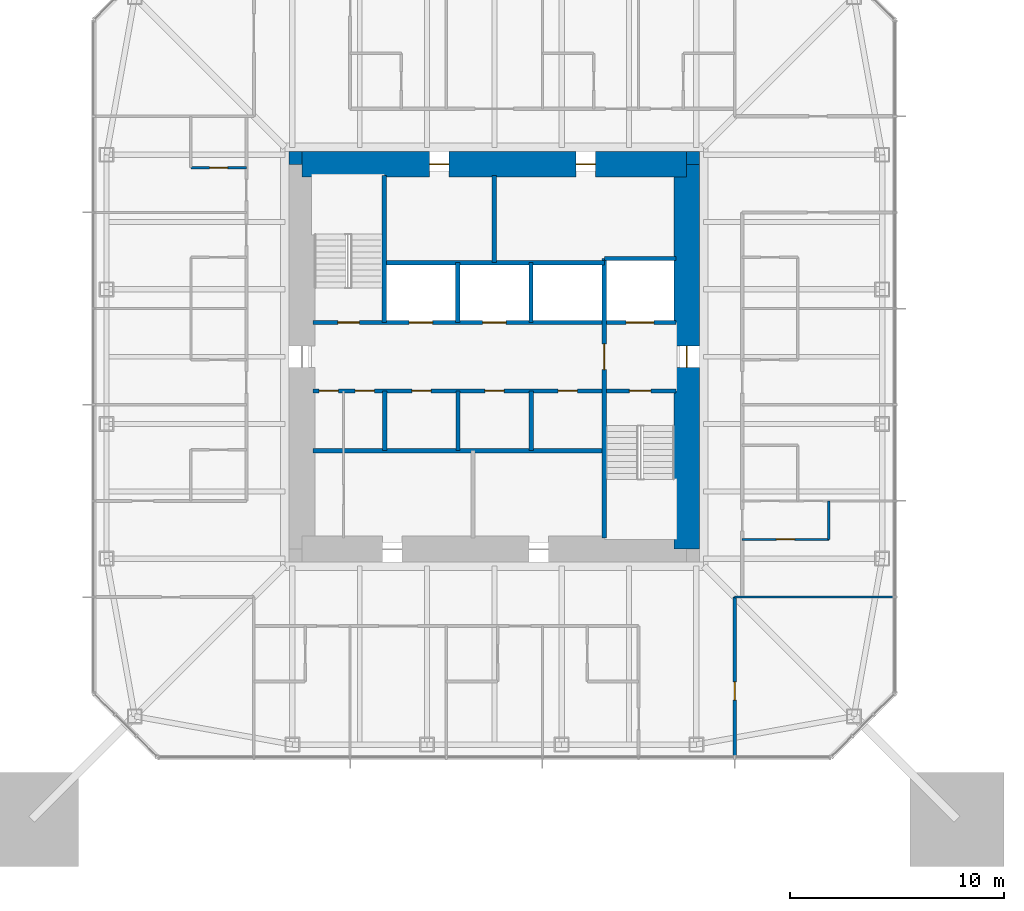
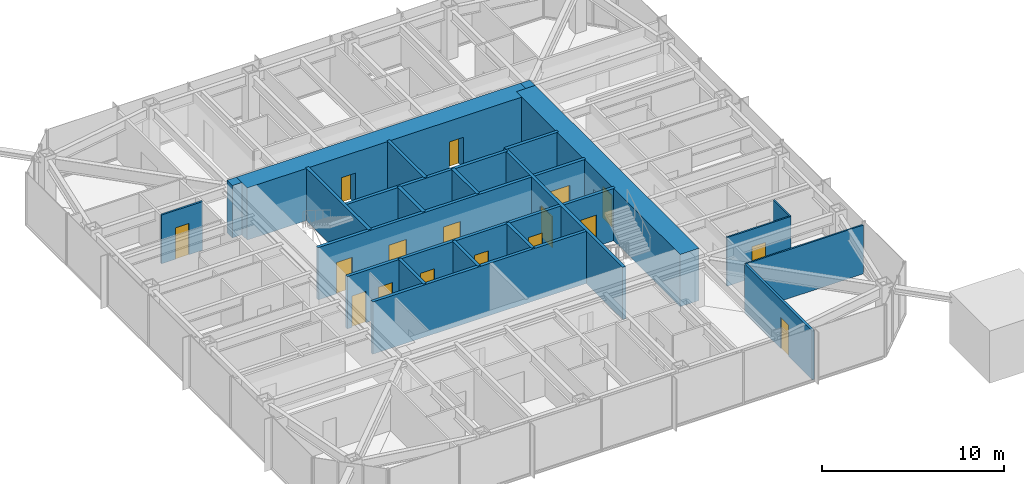
# One storey, part 7 of 12: 22 walls, 17 doors, 17 openings.
"""IFC4 building model written with IfcOpenShell, lengths in metres."""

import ifcopenshell
import ifcopenshell.guid

model = None  # the IFC model being written
_history = None  # IfcOwnerHistory: only IFC2X3 demands one
_inside = {}  # id of a spatial element -> (the spatial element, [elements in it])
_under = {}  # id of a project, library or spatial element -> (it, [spatial elements below it])
_declared = {}  # id of a project -> (the project, [libraries it declares])
_typed = {}  # id of a type object -> (the type object, [elements of that type])
_made_of = {}  # id of a material, layer set ... -> (it, [elements and type objects made of it])


def new_model(schema):
    """Start an empty IFC model of exactly this schema.

    Asked for "IFC4X3", IfcOpenShell would pick the latest addendum, in which some entities
    have other attributes; the version numbers below select the first issue.
    IFC2X3 requires an IfcOwnerHistory on every rooted entity: one is made here for all.
    """
    global model, _history
    if schema == "IFC4X3":
        model = ifcopenshell.file(schema_version=(4, 3, 0, 0))
    else:
        model = ifcopenshell.file(schema=schema)
    _inside.clear()
    _under.clear()
    _declared.clear()
    _typed.clear()
    _made_of.clear()
    _history = None
    if model.schema == "IFC2X3":
        org = make("IfcOrganization", Name="unknown")
        user = make(
            "IfcPersonAndOrganization",
            ThePerson=make("IfcPerson", FamilyName="unknown"),
            TheOrganization=org,
        )
        app = make(
            "IfcApplication",
            ApplicationDeveloper=org,
            Version="unknown",
            ApplicationFullName="unknown",
            ApplicationIdentifier="unknown",
        )
        _history = make(
            "IfcOwnerHistory",
            OwningUser=user,
            OwningApplication=app,
            ChangeAction="ADDED",
            CreationDate=0,
        )
    return model


def make(cls, **values):
    """One entity of the class cls with the attributes given. An attribute that is None is left unset."""
    return model.create_entity(
        cls, **{name: value for name, value in values.items() if value is not None}
    )


def rooted(cls, **values):
    """An entity with a GlobalId (a new one), such as an element, a storey or a relation."""
    return make(cls, GlobalId=ifcopenshell.guid.new(), OwnerHistory=_history, **values)


def si_unit(unit_type, name, prefix=None):
    """IfcSIUnit, for example si_unit("LENGTHUNIT", "METRE", prefix="MILLI")."""
    return make("IfcSIUnit", UnitType=unit_type, Prefix=prefix, Name=name)


def assignment(units):
    """IfcUnitAssignment: the units of a project."""
    return None if units is None else make("IfcUnitAssignment", Units=units)


def point(xyz):
    """IfcCartesianPoint."""
    return None if xyz is None else make("IfcCartesianPoint", Coordinates=xyz)


def direction(xyz):
    """IfcDirection."""
    return None if xyz is None else make("IfcDirection", DirectionRatios=xyz)


def frame(location, z_axis=None, x_axis=None):
    """IfcAxis2Placement3D, a coordinate frame: its origin and axes. An axis left out is left unset."""
    return make(
        "IfcAxis2Placement3D",
        Location=point(location),
        Axis=direction(z_axis),
        RefDirection=direction(x_axis),
    )


def frame_2d(location, x_axis=None):
    """IfcAxis2Placement2D, a coordinate frame in the plane: its origin and x axis."""
    return make(
        "IfcAxis2Placement2D", Location=point(location), RefDirection=direction(x_axis)
    )


def origin():
    """The frame at (0, 0, 0) with its axes left unset."""
    return frame((0.0, 0.0, 0.0))


def place(relative_to, where):
    """IfcLocalPlacement: puts the frame where relative to a parent placement (None: the world)."""
    return make(
        "IfcLocalPlacement", PlacementRelTo=relative_to, RelativePlacement=where
    )


def context(
    kind, dimensions, precision=None, world=None, true_north=None, identifier=None
):
    """IfcGeometricRepresentationContext, for example the 3D "Model" context."""
    return make(
        "IfcGeometricRepresentationContext",
        ContextIdentifier=identifier,
        ContextType=kind,
        CoordinateSpaceDimension=dimensions,
        Precision=precision,
        WorldCoordinateSystem=world,
        TrueNorth=true_north,
    )


def subcontext(parent, identifier, kind, view, scale=None):
    """IfcGeometricRepresentationSubContext, for example "Body" below "Model"."""
    return make(
        "IfcGeometricRepresentationSubContext",
        ContextIdentifier=identifier,
        ContextType=kind,
        ParentContext=parent,
        TargetScale=scale,
        TargetView=view,
    )


def project(units=None, contexts=None):
    """IfcProject with its units and contexts."""
    return rooted(
        "IfcProject",
        Name="project",
        RepresentationContexts=contexts,
        UnitsInContext=assignment(units),
    )


def spatial(cls, under=None, at=None, **own):
    """A site, building, storey or space (cls), placed at a placement, below another one or the project."""
    s = rooted(cls, ObjectPlacement=at, **own)
    if under is not None:
        _under.setdefault(under.id(), (under, []))[1].append(s)
    return s


def profile(cls, at=None, kind="AREA", **sizes):
    """A parametric profile (cls). Its sizes go by their IFC names, for example OverallWidth=200.0."""
    return make(cls, ProfileType=kind, Position=at, **sizes)


def rectangle(**sizes):
    """IfcRectangleProfileDef."""
    return profile("IfcRectangleProfileDef", **sizes)


def extrude(swept, where, along, depth):
    """IfcExtrudedAreaSolid: the profile swept, set in the frame where, extruded along a direction by depth."""
    return make(
        "IfcExtrudedAreaSolid",
        SweptArea=swept,
        Position=where,
        ExtrudedDirection=direction(along),
        Depth=depth,
    )


def shape(context_of_items, identifier, shape_type, items):
    """IfcShapeRepresentation: the items that make up one representation, for example the "Body"."""
    return make(
        "IfcShapeRepresentation",
        ContextOfItems=context_of_items,
        RepresentationIdentifier=identifier,
        RepresentationType=shape_type,
        Items=items,
    )


def material(Name=None, Category=None):
    """IfcMaterial."""
    return make("IfcMaterial", Name=Name, Category=Category)


def layer(
    of_material, thickness, ventilated=None, Name=None, Category=None, Priority=None
):
    """IfcMaterialLayer: one layer of a wall or slab, of a material (None: an air gap)."""
    return make(
        "IfcMaterialLayer",
        Material=of_material,
        LayerThickness=thickness,
        IsVentilated=ventilated,
        Name=Name,
        Category=Category,
        Priority=Priority,
    )


def layer_set(layers, Name=None):
    """IfcMaterialLayerSet."""
    return make("IfcMaterialLayerSet", MaterialLayers=layers, LayerSetName=Name)


def made_of(thing, what):
    """Note that an element or type object is made of a material, layer set ...; save() writes the relation."""
    if what is not None:
        _made_of.setdefault(what.id(), (what, []))[1].append(thing)
    return thing


def type_object(cls, material=None, **own):
    """A type object (cls), such as IfcWallType, which elements share."""
    return made_of(rooted(cls, **own), material)


def element(
    cls,
    number,
    at=None,
    inside=None,
    cuts=None,
    type_object=None,
    material=None,
    context=None,
    identifier="Body",
    shape_type=None,
    held_by="IfcProductDefinitionShape",
    body=None,
    shapes=None,
    **own,
):
    """One element of the class cls, such as IfcWall. Its Tag is "e" and its number.

    at: its placement. inside: the storey or other place that contains it. cuts: it is an
    opening in that element (IfcRelVoidsElement). A single representation is given by context,
    identifier, shape_type and body (its items); several are given by shapes. held_by: the class
    of the entity that holds the representations. save() writes the other relations.
    """
    e = rooted(cls, Tag="e%d" % number, ObjectPlacement=at, **own)
    if body is not None:
        shapes = [shape(context, identifier, shape_type, body)]
    if shapes is not None:
        e.Representation = make(held_by, Representations=shapes)
    if inside is not None:
        _inside.setdefault(inside.id(), (inside, []))[1].append(e)
    if cuts is not None:
        rooted(
            "IfcRelVoidsElement", RelatingBuildingElement=cuts, RelatedOpeningElement=e
        )
    if type_object is not None:
        _typed.setdefault(type_object.id(), (type_object, []))[1].append(e)
    return made_of(e, material)


def fill(opening, filler):
    """IfcRelFillsElement: the door or window that sits in an opening."""
    return rooted(
        "IfcRelFillsElement",
        RelatingOpeningElement=opening,
        RelatedBuildingElement=filler,
    )


def aggregate(whole, parts):
    """IfcRelAggregates: a whole, such as a stair, and the parts it consists of."""
    return rooted("IfcRelAggregates", RelatingObject=whole, RelatedObjects=parts)


def save(model, path):
    """Write the relations noted so far, then the file.

    IfcRelAggregates (storeys below a building ...), IfcRelContainedInSpatialStructure (elements
    in a storey), IfcRelDefinesByType, IfcRelAssociatesMaterial and IfcRelDeclares: one each for
    every whole, place, type object, material and project.
    """
    for whole, parts in _under.values():
        aggregate(whole, parts)
    for where, things in _inside.values():
        rooted(
            "IfcRelContainedInSpatialStructure",
            RelatedElements=things,
            RelatingStructure=where,
        )
    for kind, things in _typed.values():
        rooted("IfcRelDefinesByType", RelatedObjects=things, RelatingType=kind)
    for what, things in _made_of.values():
        rooted("IfcRelAssociatesMaterial", RelatedObjects=things, RelatingMaterial=what)
    for by, libraries in _declared.values():
        rooted("IfcRelDeclares", RelatingContext=by, RelatedDefinitions=libraries)
    model.write(path)


model = new_model("IFC4")

# Units and contexts
model_context = context("Model", 3, precision=1e-05, world=origin(), true_north=direction((0.0, 1.0)))
body_context = subcontext(model_context, "Body", "Model", "MODEL_VIEW")
ifc_project = project(units=[si_unit("LENGTHUNIT", "METRE"), si_unit("AREAUNIT", "SQUARE_METRE"), si_unit("VOLUMEUNIT", "CUBIC_METRE"), si_unit("PLANEANGLEUNIT", "RADIAN"), si_unit("MASSUNIT", "GRAM", prefix="KILO")], contexts=[model_context])

# Site, building, storey
site_placement = place(None, origin())
site = spatial("IfcSite", under=ifc_project, at=site_placement, CompositionType="ELEMENT")
building_placement = place(site_placement, origin())
building = spatial("IfcBuilding", under=site, at=building_placement, Name="Iwan Alto Co-Living Towers", CompositionType="ELEMENT")
storey_placement = place(building_placement, frame((0.0, 0.0, 153.0)))
storey = spatial("IfcBuildingStorey", under=building, at=storey_placement, Name="L41", CompositionType="ELEMENT", Elevation=153.0)

# Wall, opening, door
ifc_material_1 = material(Name="Gypsum board")
ifc_layer_1 = layer(ifc_material_1, 0.02490234375, Name="Board", Category="Finish")
ifc_material_2 = material(Name="Steel ASTM A1003 ST33H cold-formed studs", Category="steel")
ifc_layer_2 = layer(ifc_material_2, 0.10009765625, Name="Studs", Category="Framing")
ifc_layer_3 = layer(ifc_material_1, 0.02490234375, Name="Board", Category="Finish")
ifc_layer_set_1 = layer_set([ifc_layer_1, ifc_layer_2, ifc_layer_3], Name="CORRIDOR WALL 150")
wall_type_1 = type_object("IfcWallType", Name="CORRIDOR WALL 150", PredefinedType="PARTITIONING", material=ifc_layer_set_1)
wall_1_placement = place(storey_placement, frame((11.25, -18.68994140625, 0.0), z_axis=(0.0, 0.0, 1.0), x_axis=(0.0, 1.0, 0.0)))
wall_1 = element("IfcWall", 1, at=wall_1_placement, inside=storey, type_object=wall_type_1, Name="Partition L41", PredefinedType="PARTITIONING", context=body_context, shape_type="SweptSolid", body=[
    extrude(rectangle(XDim=7.43994140625, YDim=0.14990234375, at=frame_2d((3.719970703125, 0.0))), origin(), (0.0, 0.0, 1.0), 3.27001953125),
])
opening_1_placement = place(wall_1_placement, frame((2.6201171875, 0.0, 0.0)))
opening_1 = element("IfcOpeningElement", 2, at=opening_1_placement, cuts=wall_1, Name="Opening D2", PredefinedType="OPENING", context=body_context, shape_type="SweptSolid", body=[
    extrude(rectangle(XDim=0.85009765625, YDim=2.10009765625, at=frame_2d((0.425048828125, 1.050048828125))), frame((0.0, 0.0849609375, 0.0), z_axis=(0.0, -1.0, 0.0), x_axis=(1.0, 0.0, 0.0)), (0.0, 0.0, 1.0), 0.169921875),
])
ifc_material_3 = material(Name="Timber leaf in steel frame", Category="steel")
door_type_1 = type_object("IfcDoorType", Name="ROOM DOOR 850X2100", OperationType="SINGLE_SWING_LEFT", PredefinedType="DOOR", material=ifc_material_3)
door_1_placement = place(opening_1_placement, frame((0.85009765625, 0.0, 0.0), z_axis=(0.0, 0.0, 1.0), x_axis=(-1.0, 0.0, 0.0)))
door_1 = element("IfcDoor", 3, at=door_1_placement, inside=storey, type_object=door_type_1, Name="Shared kitchen and lounge door L41", OperationType="SINGLE_SWING_RIGHT", OverallHeight=2.10009765625, OverallWidth=0.85009765625, PredefinedType="DOOR", context=body_context, shape_type="SweptSolid", body=[
    extrude(rectangle(XDim=0.85009765625, YDim=2.10009765625, at=frame_2d((0.425048828125, 1.050048828125))), frame((0.0, 0.02490234375, 0.0), z_axis=(0.0, -1.0, 0.0), x_axis=(1.0, 0.0, 0.0)), (0.0, 0.0, 1.0), 0.050048828125),
])
fill(opening_1, door_1)

# Wall
ifc_layer_4 = layer(ifc_material_1, 0.012451171875, Name="Board", Category="Finish")
ifc_layer_5 = layer(ifc_material_2, 0.074951171875, Name="Studs", Category="Framing")
ifc_layer_6 = layer(ifc_material_1, 0.012451171875, Name="Board", Category="Finish")
ifc_layer_set_2 = layer_set([ifc_layer_4, ifc_layer_5, ifc_layer_6], Name="PARTITION 100")
wall_type_2 = type_object("IfcWallType", Name="PARTITION 100", PredefinedType="PARTITIONING", material=ifc_layer_set_2)
wall_2_placement = place(storey_placement, frame((11.25, -11.25, 0.0), z_axis=(0.0, 0.0, 1.0), x_axis=(1.0, 0.0, 0.0)))
element("IfcWall", 4, at=wall_2_placement, inside=storey, type_object=wall_type_2, Name="Partition L41", PredefinedType="PARTITIONING", context=body_context, shape_type="SweptSolid", body=[
    extrude(rectangle(XDim=7.43994140625, YDim=0.10009765625, at=frame_2d((3.719970703125, 0.0))), origin(), (0.0, 0.0, 1.0), 3.27001953125),
])

# Wall, opening, door
wall_3_placement = place(storey_placement, frame((11.60009765625, -8.550048828125, 0.0), z_axis=(0.0, 0.0, 1.0), x_axis=(1.0, 0.0, 0.0)))
wall_3 = element("IfcWall", 5, at=wall_3_placement, inside=storey, type_object=wall_type_2, Name="Partition L41", PredefinedType="PARTITIONING", context=body_context, shape_type="SweptSolid", body=[
    extrude(rectangle(XDim=4.0498046875, YDim=0.10009765625, at=frame_2d((2.02490234375, 0.0))), origin(), (0.0, 0.0, 1.0), 3.27001953125),
])
opening_2_placement = place(wall_3_placement, frame((1.60009765625, 0.0, 0.0)))
opening_2 = element("IfcOpeningElement", 6, at=opening_2_placement, cuts=wall_3, Name="Opening D2", PredefinedType="OPENING", context=body_context, shape_type="SweptSolid", body=[
    extrude(rectangle(XDim=0.85009765625, YDim=2.10009765625, at=frame_2d((0.425048828125, 1.050048828125))), frame((0.0, 0.06005859375, 0.0), z_axis=(0.0, -1.0, 0.0), x_axis=(1.0, 0.0, 0.0)), (0.0, 0.0, 1.0), 0.1201171875),
])
door_2_placement = place(opening_2_placement, frame((0.85009765625, 0.0, 0.0), z_axis=(0.0, 0.0, 1.0), x_axis=(-1.0, 0.0, 0.0)))
door_2 = element("IfcDoor", 7, at=door_2_placement, inside=storey, type_object=door_type_1, Name="Apartment foyer door L41", OperationType="SINGLE_SWING_RIGHT", OverallHeight=2.10009765625, OverallWidth=0.85009765625, PredefinedType="DOOR", context=body_context, shape_type="SweptSolid", body=[
    extrude(rectangle(XDim=0.85009765625, YDim=2.10009765625, at=frame_2d((0.425048828125, 1.050048828125))), frame((0.0, 0.02490234375, 0.0), z_axis=(0.0, -1.0, 0.0), x_axis=(1.0, 0.0, 0.0)), (0.0, 0.0, 1.0), 0.050048828125),
])
fill(opening_2, door_2)

# Walls
wall_4_placement = place(storey_placement, frame((15.64990234375, -8.550048828125, 0.0), z_axis=(0.0, 0.0, 1.0), x_axis=(0.0, 1.0, 0.0)))
element("IfcWall", 8, at=wall_4_placement, inside=storey, type_object=wall_type_2, Name="Partition L41", PredefinedType="PARTITIONING", context=body_context, shape_type="SweptSolid", body=[
    extrude(rectangle(XDim=1.800048828125, YDim=0.10009765625, at=frame_2d((0.89990234375, 0.0))), origin(), (0.0, 0.0, 1.0), 3.27001953125),
])
ifc_material_4 = material(Name="Concrete f'c 70 MPa", Category="concrete")
ifc_layer_7 = layer(ifc_material_4, 0.199951171875)
ifc_layer_set_3 = layer_set([ifc_layer_7], Name="SHAFT WALL 200")
wall_type_3 = type_object("IfcWallType", Name="SHAFT WALL 200", PredefinedType="SOLIDWALL", material=ifc_layer_set_3)
wall_5_placement = place(storey_placement, frame((-8.489990234375, -4.39990234375, 0.0), z_axis=(0.0, 0.0, 1.0), x_axis=(1.0, 0.0, 0.0)))
element("IfcWall", 9, at=wall_5_placement, inside=storey, type_object=wall_type_3, Name="Shaft wall L41", PredefinedType="SOLIDWALL", context=body_context, shape_type="SweptSolid", body=[
    extrude(rectangle(XDim=13.639892578125, YDim=0.199951171875, at=frame_2d((6.81982421875, 0.0))), origin(), (0.0, 0.0, 1.0), 3.5),
])

# Wall, openings, doors
wall_6_placement = place(storey_placement, frame((-8.489990234375, -1.60009765625, 0.0), z_axis=(0.0, 0.0, 1.0), x_axis=(1.0, 0.0, 0.0)))
wall_6 = element("IfcWall", 10, at=wall_6_placement, inside=storey, type_object=wall_type_3, Name="Shaft wall L41", PredefinedType="SOLIDWALL", context=body_context, shape_type="SweptSolid", body=[
    extrude(rectangle(XDim=16.97998046875, YDim=0.199951171875, at=frame_2d((8.489990234375, 0.0))), origin(), (0.0, 0.0, 1.0), 3.5),
])
opening_3_placement = place(wall_6_placement, frame((14.81005859375, 0.0, 0.0)))
opening_3 = element("IfcOpeningElement", 11, at=opening_3_placement, cuts=wall_6, Name="Opening D5", PredefinedType="OPENING", context=body_context, shape_type="SweptSolid", body=[
    extrude(rectangle(XDim=1.0, YDim=2.10009765625, at=frame_2d((0.5, 1.050048828125))), frame((0.0, 0.10986328125, 0.0), z_axis=(0.0, -1.0, 0.0), x_axis=(1.0, 0.0, 0.0)), (0.0, 0.0, 1.0), 0.219970703125),
])
opening_4_placement = place(wall_6_placement, frame((1.972900390625, 0.0, 0.0)))
opening_4 = element("IfcOpeningElement", 12, at=opening_4_placement, cuts=wall_6, Name="Opening D15", PredefinedType="OPENING", context=body_context, shape_type="SweptSolid", body=[
    extrude(rectangle(XDim=0.89990234375, YDim=2.10009765625, at=frame_2d((0.449951171875, 1.050048828125))), frame((0.0, 0.10986328125, 0.0), z_axis=(0.0, -1.0, 0.0), x_axis=(1.0, 0.0, 0.0)), (0.0, 0.0, 1.0), 0.219970703125),
])
opening_5_placement = place(wall_6_placement, frame((0.2900390625, 0.0, 0.0)))
opening_5 = element("IfcOpeningElement", 13, at=opening_5_placement, cuts=wall_6, Name="Opening D15", PredefinedType="OPENING", context=body_context, shape_type="SweptSolid", body=[
    extrude(rectangle(XDim=0.89990234375, YDim=2.10009765625, at=frame_2d((0.449951171875, 1.050048828125))), frame((0.0, 0.10986328125, 0.0), z_axis=(0.0, -1.0, 0.0), x_axis=(1.0, 0.0, 0.0)), (0.0, 0.0, 1.0), 0.219970703125),
])
opening_6_placement = place(wall_6_placement, frame((4.626953125, 0.0, 0.0)))
opening_6 = element("IfcOpeningElement", 14, at=opening_6_placement, cuts=wall_6, Name="Opening D15", PredefinedType="OPENING", context=body_context, shape_type="SweptSolid", body=[
    extrude(rectangle(XDim=0.89990234375, YDim=2.10009765625, at=frame_2d((0.449951171875, 1.050048828125))), frame((0.0, 0.10986328125, 0.0), z_axis=(0.0, -1.0, 0.0), x_axis=(1.0, 0.0, 0.0)), (0.0, 0.0, 1.0), 0.219970703125),
])
opening_7_placement = place(wall_6_placement, frame((8.052001953125, 0.0, 0.0)))
opening_7 = element("IfcOpeningElement", 15, at=opening_7_placement, cuts=wall_6, Name="Opening D15", PredefinedType="OPENING", context=body_context, shape_type="SweptSolid", body=[
    extrude(rectangle(XDim=0.89990234375, YDim=2.10009765625, at=frame_2d((0.449951171875, 1.050048828125))), frame((0.0, 0.10986328125, 0.0), z_axis=(0.0, -1.0, 0.0), x_axis=(1.0, 0.0, 0.0)), (0.0, 0.0, 1.0), 0.219970703125),
])
opening_8_placement = place(wall_6_placement, frame((11.47802734375, 0.0, 0.0)))
opening_8 = element("IfcOpeningElement", 16, at=opening_8_placement, cuts=wall_6, Name="Opening D15", PredefinedType="OPENING", context=body_context, shape_type="SweptSolid", body=[
    extrude(rectangle(XDim=0.89990234375, YDim=2.10009765625, at=frame_2d((0.449951171875, 1.050048828125))), frame((0.0, 0.10986328125, 0.0), z_axis=(0.0, -1.0, 0.0), x_axis=(1.0, 0.0, 0.0)), (0.0, 0.0, 1.0), 0.219970703125),
])
ifc_material_5 = material(Name="Steel frame with timber leaf", Category="steel")
door_type_2 = type_object("IfcDoorType", Name="CORE ROOM DOOR FD60S 900X2100", OperationType="SINGLE_SWING_LEFT", PredefinedType="DOOR", material=ifc_material_5)
door_3_placement = place(opening_4_placement, frame((0.89990234375, 0.0, 0.0), z_axis=(0.0, 0.0, 1.0), x_axis=(-1.0, 0.0, 0.0)))
door_3 = element("IfcDoor", 17, at=door_3_placement, inside=storey, type_object=door_type_2, Name="IT room door L41", OperationType="SINGLE_SWING_RIGHT", OverallHeight=2.10009765625, OverallWidth=0.89990234375, PredefinedType="DOOR", context=body_context, shape_type="SweptSolid", body=[
    extrude(rectangle(XDim=0.89990234375, YDim=2.10009765625, at=frame_2d((0.449951171875, 1.050048828125))), frame((0.0, 0.02490234375, 0.0), z_axis=(0.0, -1.0, 0.0), x_axis=(1.0, 0.0, 0.0)), (0.0, 0.0, 1.0), 0.050048828125),
])
fill(opening_4, door_3)
door_4_placement = place(opening_5_placement, frame((0.89990234375, 0.0, 0.0), z_axis=(0.0, 0.0, 1.0), x_axis=(-1.0, 0.0, 0.0)))
door_4 = element("IfcDoor", 18, at=door_4_placement, inside=storey, type_object=door_type_2, Name="Guest pantry door L41", OperationType="SINGLE_SWING_LEFT", OverallHeight=2.10009765625, OverallWidth=0.89990234375, PredefinedType="DOOR", context=body_context, shape_type="SweptSolid", body=[
    extrude(rectangle(XDim=0.89990234375, YDim=2.10009765625, at=frame_2d((0.449951171875, 1.050048828125))), frame((0.0, 0.02490234375, 0.0), z_axis=(0.0, -1.0, 0.0), x_axis=(1.0, 0.0, 0.0)), (0.0, 0.0, 1.0), 0.050048828125),
])
fill(opening_5, door_4)
door_5_placement = place(opening_6_placement, frame((0.89990234375, 0.0, 0.0), z_axis=(0.0, 0.0, 1.0), x_axis=(-1.0, 0.0, 0.0)))
door_5 = element("IfcDoor", 19, at=door_5_placement, inside=storey, type_object=door_type_2, Name="Bulk store door L41", OperationType="SINGLE_SWING_RIGHT", OverallHeight=2.10009765625, OverallWidth=0.89990234375, PredefinedType="DOOR", context=body_context, shape_type="SweptSolid", body=[
    extrude(rectangle(XDim=0.89990234375, YDim=2.10009765625, at=frame_2d((0.449951171875, 1.050048828125))), frame((0.0, 0.02490234375, 0.0), z_axis=(0.0, -1.0, 0.0), x_axis=(1.0, 0.0, 0.0)), (0.0, 0.0, 1.0), 0.050048828125),
])
fill(opening_6, door_5)
door_6_placement = place(opening_7_placement, frame((0.89990234375, 0.0, 0.0), z_axis=(0.0, 0.0, 1.0), x_axis=(-1.0, 0.0, 0.0)))
door_6 = element("IfcDoor", 20, at=door_6_placement, inside=storey, type_object=door_type_2, Name="Bulk store door L41", OperationType="SINGLE_SWING_RIGHT", OverallHeight=2.10009765625, OverallWidth=0.89990234375, PredefinedType="DOOR", context=body_context, shape_type="SweptSolid", body=[
    extrude(rectangle(XDim=0.89990234375, YDim=2.10009765625, at=frame_2d((0.449951171875, 1.050048828125))), frame((0.0, 0.02490234375, 0.0), z_axis=(0.0, -1.0, 0.0), x_axis=(1.0, 0.0, 0.0)), (0.0, 0.0, 1.0), 0.050048828125),
])
fill(opening_7, door_6)
door_7_placement = place(opening_8_placement, frame((0.89990234375, 0.0, 0.0), z_axis=(0.0, 0.0, 1.0), x_axis=(-1.0, 0.0, 0.0)))
door_7 = element("IfcDoor", 21, at=door_7_placement, inside=storey, type_object=door_type_2, Name="Vending and ice room door L41", OperationType="SINGLE_SWING_RIGHT", OverallHeight=2.10009765625, OverallWidth=0.89990234375, PredefinedType="DOOR", context=body_context, shape_type="SweptSolid", body=[
    extrude(rectangle(XDim=0.89990234375, YDim=2.10009765625, at=frame_2d((0.449951171875, 1.050048828125))), frame((0.0, 0.02490234375, 0.0), z_axis=(0.0, -1.0, 0.0), x_axis=(1.0, 0.0, 0.0)), (0.0, 0.0, 1.0), 0.050048828125),
])
fill(opening_8, door_7)
ifc_material_6 = material(Name="Steel frame with timber leaf", Category="steel")
door_type_3 = type_object("IfcDoorType", Name="STAIR DOOR FD120S 1000X2100", OperationType="SINGLE_SWING_LEFT", PredefinedType="DOOR", material=ifc_material_6)
door_8_placement = place(opening_3_placement, frame((1.0, 0.0, 0.0), z_axis=(0.0, 0.0, 1.0), x_axis=(-1.0, 0.0, 0.0)))
door_8 = element("IfcDoor", 22, at=door_8_placement, inside=storey, type_object=door_type_3, Name="Stair S2 door L41", OperationType="SINGLE_SWING_RIGHT", OverallHeight=2.10009765625, OverallWidth=1.0, PredefinedType="DOOR", context=body_context, shape_type="SweptSolid", body=[
    extrude(rectangle(XDim=1.0, YDim=2.10009765625, at=frame_2d((0.5, 1.050048828125))), frame((0.0, 0.02490234375, 0.0), z_axis=(0.0, -1.0, 0.0), x_axis=(1.0, 0.0, 0.0)), (0.0, 0.0, 1.0), 0.050048828125),
])
fill(opening_3, door_8)

wall_7_placement = place(storey_placement, frame((-8.489990234375, 1.60009765625, 0.0), z_axis=(0.0, 0.0, 1.0), x_axis=(1.0, 0.0, 0.0)))
wall_7 = element("IfcWall", 23, at=wall_7_placement, inside=storey, type_object=wall_type_3, Name="Shaft wall L41", PredefinedType="SOLIDWALL", context=body_context, shape_type="SweptSolid", body=[
    extrude(rectangle(XDim=16.97998046875, YDim=0.199951171875, at=frame_2d((8.489990234375, 0.0))), origin(), (0.0, 0.0, 1.0), 3.5),
])
opening_9_placement = place(wall_7_placement, frame((1.169921875, 0.0, 0.0)))
opening_9 = element("IfcOpeningElement", 24, at=opening_9_placement, cuts=wall_7, Name="Opening D5", PredefinedType="OPENING", context=body_context, shape_type="SweptSolid", body=[
    extrude(rectangle(XDim=1.0, YDim=2.10009765625, at=frame_2d((0.5, 1.050048828125))), frame((0.0, 0.10986328125, 0.0), z_axis=(0.0, -1.0, 0.0), x_axis=(1.0, 0.0, 0.0)), (0.0, 0.0, 1.0), 0.219970703125),
])
opening_10_placement = place(wall_7_placement, frame((4.506103515625, 0.0, 0.0)))
opening_10 = element("IfcOpeningElement", 25, at=opening_10_placement, cuts=wall_7, Name="Opening LD", PredefinedType="OPENING", context=body_context, shape_type="SweptSolid", body=[
    extrude(rectangle(XDim=1.10009765625, YDim=2.10009765625, at=frame_2d((0.550048828125, 1.050048828125))), frame((0.0, 0.10986328125, 0.0), z_axis=(0.0, -1.0, 0.0), x_axis=(1.0, 0.0, 0.0)), (0.0, 0.0, 1.0), 0.219970703125),
])
opening_11_placement = place(wall_7_placement, frame((7.93994140625, 0.0, 0.0)))
opening_11 = element("IfcOpeningElement", 26, at=opening_11_placement, cuts=wall_7, Name="Opening LD", PredefinedType="OPENING", context=body_context, shape_type="SweptSolid", body=[
    extrude(rectangle(XDim=1.10009765625, YDim=2.10009765625, at=frame_2d((0.550048828125, 1.050048828125))), frame((0.0, 0.10986328125, 0.0), z_axis=(0.0, -1.0, 0.0), x_axis=(1.0, 0.0, 0.0)), (0.0, 0.0, 1.0), 0.219970703125),
])
opening_12_placement = place(wall_7_placement, frame((14.659912109375, 0.0, 0.0)))
opening_12 = element("IfcOpeningElement", 27, at=opening_12_placement, cuts=wall_7, Name="Opening LD2", PredefinedType="OPENING", context=body_context, shape_type="SweptSolid", body=[
    extrude(rectangle(XDim=1.300048828125, YDim=2.10009765625, at=frame_2d((0.64990234375, 1.050048828125))), frame((0.0, 0.10986328125, 0.0), z_axis=(0.0, -1.0, 0.0), x_axis=(1.0, 0.0, 0.0)), (0.0, 0.0, 1.0), 0.219970703125),
])
ifc_material_7 = material(Name="Steel frame with timber leaf", Category="steel")
door_type_4 = type_object("IfcDoorType", Name="LIFT LANDING DOOR 1100X2100", OperationType="DOUBLE_DOOR_SLIDING", PredefinedType="DOOR", material=ifc_material_7)
door_9_placement = place(opening_10_placement, origin())
door_9 = element("IfcDoor", 28, at=door_9_placement, inside=storey, type_object=door_type_4, Name="Lift P3-1 landing door L41", OperationType="DOUBLE_DOOR_SLIDING", OverallHeight=2.10009765625, OverallWidth=1.10009765625, PredefinedType="DOOR", context=body_context, shape_type="SweptSolid", body=[
    extrude(rectangle(XDim=1.10009765625, YDim=2.10009765625, at=frame_2d((0.550048828125, 1.050048828125))), frame((0.0, 0.02490234375, 0.0), z_axis=(0.0, -1.0, 0.0), x_axis=(1.0, 0.0, 0.0)), (0.0, 0.0, 1.0), 0.050048828125),
])
fill(opening_10, door_9)
door_10_placement = place(opening_11_placement, origin())
door_10 = element("IfcDoor", 29, at=door_10_placement, inside=storey, type_object=door_type_4, Name="Lift P3-2 landing door L41", OperationType="DOUBLE_DOOR_SLIDING", OverallHeight=2.10009765625, OverallWidth=1.10009765625, PredefinedType="DOOR", context=body_context, shape_type="SweptSolid", body=[
    extrude(rectangle(XDim=1.10009765625, YDim=2.10009765625, at=frame_2d((0.550048828125, 1.050048828125))), frame((0.0, 0.02490234375, 0.0), z_axis=(0.0, -1.0, 0.0), x_axis=(1.0, 0.0, 0.0)), (0.0, 0.0, 1.0), 0.050048828125),
])
fill(opening_11, door_10)
ifc_material_8 = material(Name="Steel frame with timber leaf", Category="steel")
door_type_5 = type_object("IfcDoorType", Name="LIFT LANDING DOOR 1300X2100", OperationType="SLIDING_TO_LEFT", PredefinedType="DOOR", material=ifc_material_8)
door_11_placement = place(opening_12_placement, origin())
door_11 = element("IfcDoor", 30, at=door_11_placement, inside=storey, type_object=door_type_5, Name="Lift FL1 landing door L41", OperationType="SLIDING_TO_LEFT", OverallHeight=2.10009765625, OverallWidth=1.300048828125, PredefinedType="DOOR", context=body_context, shape_type="SweptSolid", body=[
    extrude(rectangle(XDim=1.300048828125, YDim=2.10009765625, at=frame_2d((0.64990234375, 1.050048828125))), frame((0.0, 0.02490234375, 0.0), z_axis=(0.0, -1.0, 0.0), x_axis=(1.0, 0.0, 0.0)), (0.0, 0.0, 1.0), 0.050048828125),
])
fill(opening_12, door_11)
door_12_placement = place(opening_9_placement, origin())
door_12 = element("IfcDoor", 31, at=door_12_placement, inside=storey, type_object=door_type_3, Name="Stair S1 door L41", OperationType="SINGLE_SWING_RIGHT", OverallHeight=2.10009765625, OverallWidth=1.0, PredefinedType="DOOR", context=body_context, shape_type="SweptSolid", body=[
    extrude(rectangle(XDim=1.0, YDim=2.10009765625, at=frame_2d((0.5, 1.050048828125))), frame((0.0, 0.02490234375, 0.0), z_axis=(0.0, -1.0, 0.0), x_axis=(1.0, 0.0, 0.0)), (0.0, 0.0, 1.0), 0.050048828125),
])
fill(opening_9, door_12)

# Walls
wall_8_placement = place(storey_placement, frame((-5.14990234375, 4.39990234375, 0.0), z_axis=(0.0, 0.0, 1.0), x_axis=(1.0, 0.0, 0.0)))
element("IfcWall", 32, at=wall_8_placement, inside=storey, type_object=wall_type_3, Name="Shaft wall L41", PredefinedType="SOLIDWALL", context=body_context, shape_type="SweptSolid", body=[
    extrude(rectangle(XDim=10.2998046875, YDim=0.199951171875, at=frame_2d((5.14990234375, 0.0))), origin(), (0.0, 0.0, 1.0), 3.5),
])
wall_9_placement = place(storey_placement, frame((5.14990234375, 4.60009765625, 0.0), z_axis=(0.0, 0.0, 1.0), x_axis=(1.0, 0.0, 0.0)))
element("IfcWall", 33, at=wall_9_placement, inside=storey, type_object=wall_type_3, Name="Shaft wall L41", PredefinedType="SOLIDWALL", context=body_context, shape_type="SweptSolid", body=[
    extrude(rectangle(XDim=3.340087890625, YDim=0.199951171875, at=frame_2d((1.669921875, 0.0))), origin(), (0.0, 0.0, 1.0), 3.5),
])

# Wall, opening, door
wall_10_placement = place(storey_placement, frame((5.14990234375, -8.489990234375, 0.0), z_axis=(0.0, 0.0, 1.0), x_axis=(0.0, 1.0, 0.0)))
wall_10 = element("IfcWall", 34, at=wall_10_placement, inside=storey, type_object=wall_type_3, Name="Shaft wall L41", PredefinedType="SOLIDWALL", context=body_context, shape_type="SweptSolid", body=[
    extrude(rectangle(XDim=13.090087890625, YDim=0.199951171875, at=frame_2d((6.544921875, 0.0))), origin(), (0.0, 0.0, 1.0), 3.5),
])
opening_13_placement = place(wall_10_placement, frame((7.889892578125, 0.0, 0.0)))
opening_13 = element("IfcOpeningElement", 35, at=opening_13_placement, cuts=wall_10, Name="Opening D6", PredefinedType="OPENING", context=body_context, shape_type="SweptSolid", body=[
    extrude(rectangle(XDim=1.199951171875, YDim=2.10009765625, at=frame_2d((0.60009765625, 1.050048828125))), frame((0.0, 0.10986328125, 0.0), z_axis=(0.0, -1.0, 0.0), x_axis=(1.0, 0.0, 0.0)), (0.0, 0.0, 1.0), 0.219970703125),
])
ifc_material_9 = material(Name="Steel frame with timber leaf", Category="steel")
door_type_6 = type_object("IfcDoorType", Name="LOBBY DOOR FD120S 1200X2100", OperationType="SINGLE_SWING_LEFT", PredefinedType="DOOR", material=ifc_material_9)
door_13_placement = place(opening_13_placement, frame((1.199951171875, 0.0, 0.0), z_axis=(0.0, 0.0, 1.0), x_axis=(-1.0, 0.0, 0.0)))
door_13 = element("IfcDoor", 36, at=door_13_placement, inside=storey, type_object=door_type_6, Name="Firefighting lobby door L41", OperationType="SINGLE_SWING_RIGHT", OverallHeight=2.10009765625, OverallWidth=1.199951171875, PredefinedType="DOOR", context=body_context, shape_type="SweptSolid", body=[
    extrude(rectangle(XDim=1.199951171875, YDim=2.10009765625, at=frame_2d((0.60009765625, 1.050048828125))), frame((0.0, 0.02490234375, 0.0), z_axis=(0.0, -1.0, 0.0), x_axis=(1.0, 0.0, 0.0)), (0.0, 0.0, 1.0), 0.050048828125),
])
fill(opening_13, door_13)

# Walls
for number, where, z_axis, x_axis, name in (
    (37, (1.72509765625, -4.39990234375, 0.0), (0.0, 0.0, 1.0), (0.0, 1.0, 0.0), "Shaft wall L41"),
    (38, (1.717041015625, 1.60009765625, 0.0), (0.0, 0.0, 1.0), (0.0, 1.0, 0.0), "Shaft wall L41"),
):
    element("IfcWall", number, at=place(storey_placement, frame(where, z_axis=z_axis, x_axis=x_axis)), inside=storey, type_object=wall_type_3, Name=name, PredefinedType="SOLIDWALL", context=body_context, shape_type="SweptSolid", body=[
        extrude(rectangle(XDim=2.7998046875, YDim=0.199951171875, at=frame_2d((1.39990234375, 0.0))), origin(), (0.0, 0.0, 1.0), 3.5),
    ])
wall_11_placement = place(storey_placement, frame((0.0, 4.39990234375, 0.0), z_axis=(0.0, 0.0, 1.0), x_axis=(0.0, 1.0, 0.0)))
element("IfcWall", 39, at=wall_11_placement, inside=storey, type_object=wall_type_3, Name="Shaft wall L41", PredefinedType="SOLIDWALL", context=body_context, shape_type="SweptSolid", body=[
    extrude(rectangle(XDim=4.090087890625, YDim=0.199951171875, at=frame_2d((2.044921875, 0.0))), origin(), (0.0, 0.0, 1.0), 3.5),
])
for number, where, z_axis, x_axis, name in (
    (40, (-1.699951171875, -4.39990234375, 0.0), (0.0, 0.0, 1.0), (0.0, 1.0, 0.0), "Shaft wall L41"),
    (41, (-1.717041015625, 1.60009765625, 0.0), (0.0, 0.0, 1.0), (0.0, 1.0, 0.0), "Shaft wall L41"),
    (42, (-5.125, -4.39990234375, 0.0), (0.0, 0.0, 1.0), (0.0, 1.0, 0.0), "Shaft wall L41"),
):
    element("IfcWall", number, at=place(storey_placement, frame(where, z_axis=z_axis, x_axis=x_axis)), inside=storey, type_object=wall_type_3, Name=name, PredefinedType="SOLIDWALL", context=body_context, shape_type="SweptSolid", body=[
        extrude(rectangle(XDim=2.7998046875, YDim=0.199951171875, at=frame_2d((1.39990234375, 0.0))), origin(), (0.0, 0.0, 1.0), 3.5),
    ])
wall_12_placement = place(storey_placement, frame((-5.14990234375, 1.60009765625, 0.0), z_axis=(0.0, 0.0, 1.0), x_axis=(0.0, 1.0, 0.0)))
element("IfcWall", 43, at=wall_12_placement, inside=storey, type_object=wall_type_3, Name="Shaft wall L41", PredefinedType="SOLIDWALL", context=body_context, shape_type="SweptSolid", body=[
    extrude(rectangle(XDim=6.889892578125, YDim=0.199951171875, at=frame_2d((3.44482421875, 0.0))), origin(), (0.0, 0.0, 1.0), 3.5),
])
ifc_material_10 = material(Name="Concrete f'c 70 MPa", Category="concrete")
ifc_layer_8 = layer(ifc_material_10, 0.60009765625)
ifc_layer_set_4 = layer_set([ifc_layer_8], Name="T1 CORE CORNER FILL 600")
wall_type_4 = type_object("IfcWallType", Name="T1 CORE CORNER FILL 600", PredefinedType="SOLIDWALL", material=ifc_layer_set_4)
for number, where, z_axis, x_axis, name in (
    (44, (9.0, 9.300048828125, 0.0), (0.0, 0.0, 1.0), (1.0, 0.0, 0.0), "T1 core corner NE L41"),
    (45, (-9.60009765625, 9.300048828125, 0.0), (0.0, 0.0, 1.0), (1.0, 0.0, 0.0), "T1 core corner NW L41"),
):
    element("IfcWall", number, at=place(storey_placement, frame(where, z_axis=z_axis, x_axis=x_axis)), inside=storey, type_object=wall_type_4, Name=name, PredefinedType="SOLIDWALL", context=body_context, shape_type="SweptSolid", body=[
        extrude(rectangle(XDim=0.60009765625, YDim=0.60009765625, at=frame_2d((0.300048828125, 0.0))), origin(), (0.0, 0.0, 1.0), 3.5),
    ])

# Wall, openings, doors
ifc_material_11 = material(Name="Concrete f'c 70 MPa", Category="concrete")
ifc_layer_9 = layer(ifc_material_11, 1.199951171875)
ifc_layer_set_5 = layer_set([ifc_layer_9], Name="T1 CORE WALL 1200")
wall_type_5 = type_object("IfcWallType", Name="T1 CORE WALL 1200", PredefinedType="SHEAR", material=ifc_layer_set_5)
wall_13_placement = place(storey_placement, frame((9.0, 9.0, 0.0), z_axis=(0.0, 0.0, 1.0), x_axis=(-1.0, 0.0, 0.0)))
wall_13 = element("IfcWall", 46, at=wall_13_placement, inside=storey, type_object=wall_type_5, Name="T1 core wall N L41", PredefinedType="SHEAR", context=body_context, shape_type="SweptSolid", body=[
    extrude(rectangle(XDim=18.0, YDim=1.199951171875, at=frame_2d((9.0, 0.0))), origin(), (0.0, 0.0, 1.0), 3.5),
])
opening_14_placement = place(wall_13_placement, frame((11.125, 0.0, 0.0)))
opening_14 = element("IfcOpeningElement", 47, at=opening_14_placement, cuts=wall_13, Name="Opening D8", PredefinedType="OPENING", context=body_context, shape_type="SweptSolid", body=[
    extrude(rectangle(XDim=0.89990234375, YDim=2.10009765625, at=frame_2d((0.449951171875, 1.050048828125))), frame((0.0, 0.60986328125, 0.0), z_axis=(0.0, -1.0, 0.0), x_axis=(1.0, 0.0, 0.0)), (0.0, 0.0, 1.0), 1.219970703125),
])
opening_15_placement = place(wall_13_placement, frame((4.27490234375, 0.0, 0.0)))
opening_15 = element("IfcOpeningElement", 48, at=opening_15_placement, cuts=wall_13, Name="Opening D8", PredefinedType="OPENING", context=body_context, shape_type="SweptSolid", body=[
    extrude(rectangle(XDim=0.89990234375, YDim=2.10009765625, at=frame_2d((0.449951171875, 1.050048828125))), frame((0.0, 0.60986328125, 0.0), z_axis=(0.0, -1.0, 0.0), x_axis=(1.0, 0.0, 0.0)), (0.0, 0.0, 1.0), 1.219970703125),
])
ifc_material_12 = material(Name="Steel frame with timber leaf", Category="steel")
door_type_7 = type_object("IfcDoorType", Name="RISER DOOR FD120 900X2100", OperationType="SINGLE_SWING_LEFT", PredefinedType="DOOR", material=ifc_material_12)
door_14_placement = place(opening_14_placement, origin())
door_14 = element("IfcDoor", 49, at=door_14_placement, inside=storey, type_object=door_type_7, Name="Electrical riser core door L41", OperationType="SINGLE_SWING_RIGHT", OverallHeight=2.10009765625, OverallWidth=0.89990234375, PredefinedType="DOOR", context=body_context, shape_type="SweptSolid", body=[
    extrude(rectangle(XDim=0.89990234375, YDim=2.10009765625, at=frame_2d((0.449951171875, 1.050048828125))), frame((0.0, 0.02490234375, 0.0), z_axis=(0.0, -1.0, 0.0), x_axis=(1.0, 0.0, 0.0)), (0.0, 0.0, 1.0), 0.050048828125),
])
fill(opening_14, door_14)
door_15_placement = place(opening_15_placement, origin())
door_15 = element("IfcDoor", 50, at=door_15_placement, inside=storey, type_object=door_type_7, Name="Water and drainage riser core door L41", OperationType="SINGLE_SWING_RIGHT", OverallHeight=2.10009765625, OverallWidth=0.89990234375, PredefinedType="DOOR", context=body_context, shape_type="SweptSolid", body=[
    extrude(rectangle(XDim=0.89990234375, YDim=2.10009765625, at=frame_2d((0.449951171875, 1.050048828125))), frame((0.0, 0.02490234375, 0.0), z_axis=(0.0, -1.0, 0.0), x_axis=(1.0, 0.0, 0.0)), (0.0, 0.0, 1.0), 0.050048828125),
])
fill(opening_15, door_15)

# Wall, opening, door
wall_14_placement = place(storey_placement, frame((9.0, -9.0, 0.0), z_axis=(0.0, 0.0, 1.0), x_axis=(0.0, 1.0, 0.0)))
wall_14 = element("IfcWall", 51, at=wall_14_placement, inside=storey, type_object=wall_type_5, Name="T1 core wall E L41", PredefinedType="SHEAR", context=body_context, shape_type="SweptSolid", body=[
    extrude(rectangle(XDim=18.0, YDim=1.199951171875, at=frame_2d((9.0, 0.0))), origin(), (0.0, 0.0, 1.0), 3.5),
])
opening_16_placement = place(wall_14_placement, frame((8.5, 0.0, 0.0)))
opening_16 = element("IfcOpeningElement", 52, at=opening_16_placement, cuts=wall_14, Name="Opening D7", PredefinedType="OPENING", context=body_context, shape_type="SweptSolid", body=[
    extrude(rectangle(XDim=1.0, YDim=2.10009765625, at=frame_2d((0.5, 1.050048828125))), frame((0.0, 0.60986328125, 0.0), z_axis=(0.0, -1.0, 0.0), x_axis=(1.0, 0.0, 0.0)), (0.0, 0.0, 1.0), 1.219970703125),
])
ifc_material_13 = material(Name="Steel frame with timber leaf", Category="steel")
door_type_8 = type_object("IfcDoorType", Name="CORE DOOR FD120S 1000X2100", OperationType="SINGLE_SWING_LEFT", PredefinedType="DOOR", material=ifc_material_13)
door_16_placement = place(opening_16_placement, origin())
door_16 = element("IfcDoor", 53, at=door_16_placement, inside=storey, type_object=door_type_8, Name="Firefighting lobby core door L41", OperationType="SINGLE_SWING_LEFT", OverallHeight=2.10009765625, OverallWidth=1.0, PredefinedType="DOOR", context=body_context, shape_type="SweptSolid", body=[
    extrude(rectangle(XDim=1.0, YDim=2.10009765625, at=frame_2d((0.5, 1.050048828125))), frame((0.0, 0.02490234375, 0.0), z_axis=(0.0, -1.0, 0.0), x_axis=(1.0, 0.0, 0.0)), (0.0, 0.0, 1.0), 0.050048828125),
])
fill(opening_16, door_16)

ifc_material_14 = material(Name="Cement board")
ifc_layer_10 = layer(ifc_material_14, 0.012451171875, Name="Board", Category="Finish")
ifc_layer_11 = layer(ifc_material_2, 0.094970703125, Name="Studs", Category="Framing")
ifc_layer_12 = layer(ifc_material_14, 0.012451171875, Name="Board", Category="Finish")
ifc_layer_set_6 = layer_set([ifc_layer_10, ifc_layer_11, ifc_layer_12], Name="WET AREA PARTITION 120")
wall_type_6 = type_object("IfcWallType", Name="WET AREA PARTITION 120", PredefinedType="PARTITIONING", material=ifc_layer_set_6)
wall_15_placement = place(storey_placement, frame((-14.199951171875, 8.85009765625, 0.0), z_axis=(0.0, 0.0, 1.0), x_axis=(1.0, 0.0, 0.0)))
wall_15 = element("IfcWall", 54, at=wall_15_placement, inside=storey, type_object=wall_type_6, Name="Partition L41", PredefinedType="PARTITIONING", context=body_context, shape_type="SweptSolid", body=[
    extrude(rectangle(XDim=2.599853515625, YDim=0.1201171875, at=frame_2d((1.2998046875, 0.0))), origin(), (0.0, 0.0, 1.0), 3.27001953125),
])
opening_17_placement = place(wall_15_placement, frame((0.875, 0.0, 0.0)))
opening_17 = element("IfcOpeningElement", 55, at=opening_17_placement, cuts=wall_15, Name="Opening D2", PredefinedType="OPENING", context=body_context, shape_type="SweptSolid", body=[
    extrude(rectangle(XDim=0.85009765625, YDim=2.10009765625, at=frame_2d((0.425048828125, 1.050048828125))), frame((0.0, 0.070068359375, 0.0), z_axis=(0.0, -1.0, 0.0), x_axis=(1.0, 0.0, 0.0)), (0.0, 0.0, 1.0), 0.14013671875),
])
door_17_placement = place(opening_17_placement, frame((0.85009765625, 0.0, 0.0), z_axis=(0.0, 0.0, 1.0), x_axis=(-1.0, 0.0, 0.0)))
door_17 = element("IfcDoor", 56, at=door_17_placement, inside=storey, type_object=door_type_1, Name="En-suite shower room door L41", OperationType="SINGLE_SWING_LEFT", OverallHeight=2.10009765625, OverallWidth=0.85009765625, PredefinedType="DOOR", context=body_context, shape_type="SweptSolid", body=[
    extrude(rectangle(XDim=0.85009765625, YDim=2.10009765625, at=frame_2d((0.425048828125, 1.050048828125))), frame((0.0, 0.02490234375, 0.0), z_axis=(0.0, -1.0, 0.0), x_axis=(1.0, 0.0, 0.0)), (0.0, 0.0, 1.0), 0.050048828125),
])
fill(opening_17, door_17)

save(model, "model.ifc")
